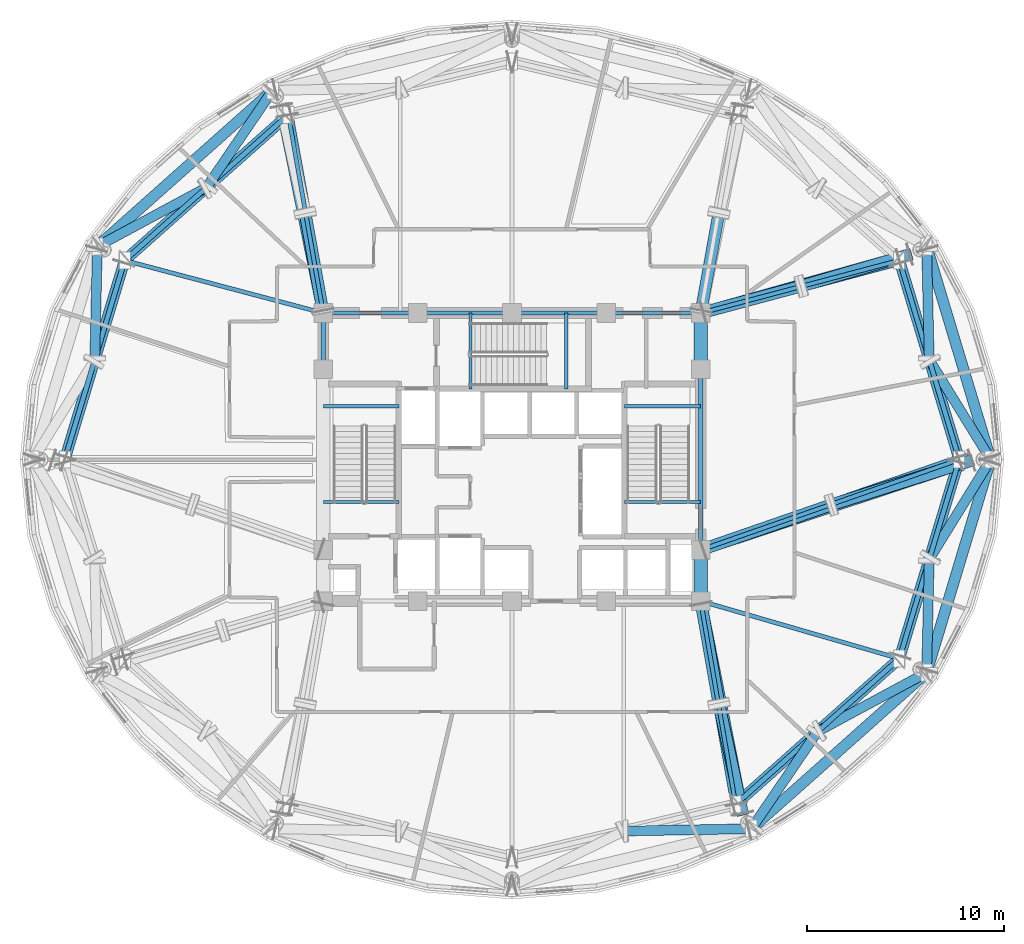
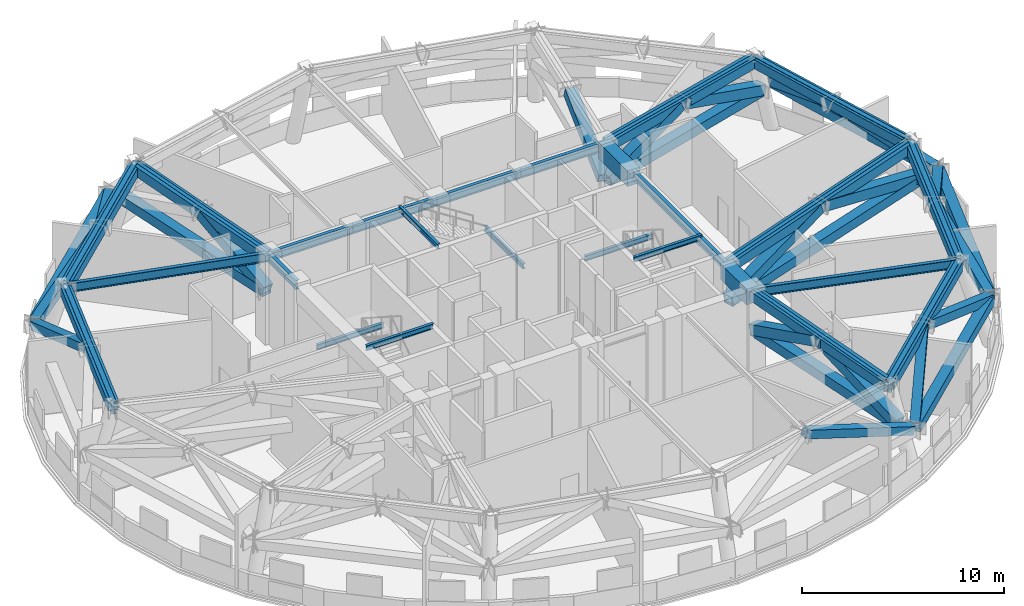
# One storey, part 2 of 13: 35 members, 25 beams.
"""IFC4 building model written with IfcOpenShell, lengths in metres."""

from ifc_helpers import new_model, si_unit, direction, frame, origin, origin_2d, place, context, subcontext, project, spatial, rectangle, hollow_rectangle, i_section, extrude, material, material_profile, profile_set, type_object, element, save


model = new_model("IFC4")

# Units and contexts
model_context = context("Model", 3, precision=1e-05, world=origin(), true_north=direction((0.0, 1.0)))
body_context = subcontext(model_context, "Body", "Model", "MODEL_VIEW")
ifc_project = project(units=[si_unit("LENGTHUNIT", "METRE"), si_unit("AREAUNIT", "SQUARE_METRE"), si_unit("VOLUMEUNIT", "CUBIC_METRE"), si_unit("PLANEANGLEUNIT", "RADIAN"), si_unit("MASSUNIT", "GRAM", prefix="KILO")], contexts=[model_context])

# Site, building, storey
site_placement = place(None, origin())
site = spatial("IfcSite", under=ifc_project, at=site_placement, CompositionType="ELEMENT")
building_placement = place(site_placement, origin())
building = spatial("IfcBuilding", under=site, at=building_placement, Name="Vantalir Tower", CompositionType="ELEMENT")
storey_placement = place(building_placement, frame((0.0, 0.0, 175.949951171875)))
storey = spatial("IfcBuildingStorey", under=building, at=storey_placement, Name="L44", CompositionType="ELEMENT", Elevation=175.949951171875)

# Beams
ifc_material_1 = material(Name="Concrete C60/75", Category="concrete")
ifc_material_profile_1 = material_profile(ifc_material_1, rectangle(XDim=0.699951171875, YDim=0.949951171875, at=origin_2d()), Name="Concrete C60/75")
ifc_profile_set_1 = profile_set([ifc_material_profile_1], Name="Concrete C60/75")
beam_type_1 = type_object("IfcBeamType", Name="BM-CB-700x950", PredefinedType="USERDEFINED", material=ifc_profile_set_1)
beam_1_placement = place(storey_placement, frame((41.10009765625, 17.800048828125, 4.7451171875), z_axis=(0.0, 1.0, 0.0), x_axis=(-1.0, 0.0, 0.0)))
element("IfcBeam", 1, at=beam_1_placement, inside=storey, type_object=beam_type_1, Name="L44 Core Coupling Girder 05", ObjectType="GIRDER", PredefinedType="USERDEFINED", context=body_context, shape_type="SweptSolid", body=[
    extrude(rectangle(XDim=0.699951171875, YDim=0.949951171875, at=origin_2d()), origin(), (0.0, 0.0, 1.0), 2.599853515625),
])
beam_2_placement = place(storey_placement, frame((41.10009765625, 29.60009765625, 4.7451171875), z_axis=(0.0, 1.0, 0.0), x_axis=(-1.0, 0.0, 0.0)))
element("IfcBeam", 2, at=beam_2_placement, inside=storey, type_object=beam_type_1, Name="L44 Core Coupling Girder 07", ObjectType="GIRDER", PredefinedType="USERDEFINED", context=body_context, shape_type="SweptSolid", body=[
    extrude(rectangle(XDim=0.699951171875, YDim=0.949951171875, at=origin_2d()), origin(), (0.0, 0.0, 1.0), 2.849853515625),
])
ifc_material_2 = material(Name="Steel S355", Category="steel")
ifc_material_profile_2 = material_profile(ifc_material_2, i_section(OverallWidth=0.166015625, OverallDepth=0.306884765625, WebThickness=0.006591796875, FlangeThickness=0.01171875, at=origin_2d()), Name="Steel S355")
ifc_profile_set_2 = profile_set([ifc_material_profile_2], Name="Steel S355")
beam_type_2 = type_object("IfcBeamType", Name="BM-JS-305x165", PredefinedType="JOIST", material=ifc_profile_set_2)
for number, where, z_axis, x_axis, name in (
    (3, (21.89990234375, 22.8349609375, 5.24609375), (1.0, 0.0, 0.0), (0.0, 1.0, 0.0), "L45 Stair ST1 Well Nosing Trimmer Beam"),
    (4, (21.89990234375, 27.705078125, 2.345947265625), (1.0, 0.0, 0.0), (0.0, 1.0, 0.0), "L44 Stair ST1 Half-Landing Support Beam"),
):
    element("IfcBeam", number, at=place(storey_placement, frame(where, z_axis=z_axis, x_axis=x_axis)), inside=storey, type_object=beam_type_2, Name=name, PredefinedType="JOIST", context=body_context, shape_type="SweptSolid", body=[
        extrude(i_section(OverallWidth=0.166015625, OverallDepth=0.306884765625, WebThickness=0.006591796875, FlangeThickness=0.01171875, at=origin_2d()), origin(), (0.0, 0.0, 1.0), 3.840087890625),
    ])
for number, where, z_axis, x_axis, name in (
    (5, (37.2099609375, 22.8349609375, 5.24609375), (1.0, 0.0, 0.0), (0.0, 1.0, 0.0), "L45 Stair ST2 Well Nosing Trimmer Beam"),
    (6, (37.2099609375, 27.705078125, 2.345947265625), (1.0, 0.0, 0.0), (0.0, 1.0, 0.0), "L44 Stair ST2 Half-Landing Support Beam"),
):
    element("IfcBeam", number, at=place(storey_placement, frame(where, z_axis=z_axis, x_axis=x_axis)), inside=storey, type_object=beam_type_2, Name=name, PredefinedType="JOIST", context=body_context, shape_type="SweptSolid", body=[
        extrude(i_section(OverallWidth=0.166015625, OverallDepth=0.306884765625, WebThickness=0.006591796875, FlangeThickness=0.01171875, at=origin_2d()), origin(), (0.0, 0.0, 1.0), 3.89013671875),
    ])
for number, where, z_axis, x_axis, name in (
    (7, (29.385009765625, 28.60009765625, 5.24609375), (0.0, 1.0, 0.0), (-1.0, 0.0, 0.0), "L45 Stair ST3 Well Nosing Trimmer Beam"),
    (8, (34.2548828125, 28.60009765625, 2.345947265625), (0.0, 1.0, 0.0), (-1.0, 0.0, 0.0), "L44 Stair ST3 Half-Landing Support Beam"),
):
    element("IfcBeam", number, at=place(storey_placement, frame(where, z_axis=z_axis, x_axis=x_axis)), inside=storey, type_object=beam_type_2, Name=name, PredefinedType="JOIST", context=body_context, shape_type="SweptSolid", body=[
        extrude(i_section(OverallWidth=0.166015625, OverallDepth=0.306884765625, WebThickness=0.006591796875, FlangeThickness=0.01171875, at=origin_2d()), origin(), (0.0, 0.0, 1.0), 3.849853515625),
    ])
ifc_material_profile_3 = material_profile(ifc_material_2, i_section(OverallWidth=0.2109375, OverallDepth=0.5390625, WebThickness=0.01171875, FlangeThickness=0.018798828125, at=origin_2d()), Name="Steel S355")
ifc_profile_set_3 = profile_set([ifc_material_profile_3], Name="Steel S355")
beam_type_3 = type_object("IfcBeamType", Name="BM-RB-533x210", PredefinedType="BEAM", material=ifc_profile_set_3)
beam_3_placement = place(storey_placement, frame((41.10009765625, 20.39990234375, 4.949951171875), z_axis=(0.0, 1.0, 0.0), x_axis=(-1.0, 0.0, 0.0)))
element("IfcBeam", 9, at=beam_3_placement, inside=storey, type_object=beam_type_3, Name="L44 Core Coupling Girder 06", PredefinedType="BEAM", context=body_context, shape_type="SweptSolid", body=[
    extrude(i_section(OverallWidth=0.2109375, OverallDepth=0.5390625, WebThickness=0.01171875, FlangeThickness=0.018798828125, at=origin_2d()), origin(), (0.0, 0.0, 1.0), 9.2001953125),
])
for number, where, z_axis, x_axis, name in (
    (10, (41.10009765625, 32.449951171875, 4.949951171875), (-1.0, 0.0, 0.0), (0.0, -1.0, 0.0), "L44 Core Coupling Girder 08"),
    (11, (36.300048828125, 32.449951171875, 4.949951171875), (-1.0, 0.0, 0.0), (0.0, -1.0, 0.0), "L44 Core Coupling Girder 09"),
    (12, (31.5, 32.449951171875, 4.949951171875), (-1.0, 0.0, 0.0), (0.0, -1.0, 0.0), "L44 Core Coupling Girder 10"),
    (13, (26.699951171875, 32.449951171875, 4.949951171875), (-1.0, 0.0, 0.0), (0.0, -1.0, 0.0), "L44 Core Coupling Girder 11"),
):
    element("IfcBeam", number, at=place(storey_placement, frame(where, z_axis=z_axis, x_axis=x_axis)), inside=storey, type_object=beam_type_3, Name=name, PredefinedType="BEAM", context=body_context, shape_type="SweptSolid", body=[
        extrude(i_section(OverallWidth=0.2109375, OverallDepth=0.5390625, WebThickness=0.01171875, FlangeThickness=0.018798828125, at=origin_2d()), origin(), (0.0, 0.0, 1.0), 4.800048828125),
    ])
beam_4_placement = place(storey_placement, frame((21.89990234375, 32.449951171875, 4.949951171875), z_axis=(0.0, -1.0, 0.0), x_axis=(1.0, 0.0, 0.0)))
element("IfcBeam", 14, at=beam_4_placement, inside=storey, type_object=beam_type_3, Name="L44 Core Coupling Girder 12", PredefinedType="BEAM", context=body_context, shape_type="SweptSolid", body=[
    extrude(i_section(OverallWidth=0.2109375, OverallDepth=0.5390625, WebThickness=0.01171875, FlangeThickness=0.018798828125, at=origin_2d()), origin(), (0.0, 0.0, 1.0), 2.849853515625),
])
beam_5_placement = place(storey_placement, frame((54.25, 25.0, 4.949951171875), z_axis=(-0.943911347426, -0.330198982737, 0.0), x_axis=(0.330198982737, -0.943911347426, 0.0)))
element("IfcBeam", 15, at=beam_5_placement, inside=storey, type_object=beam_type_3, Name="L44 Radial Floor Beam 01", PredefinedType="BEAM", context=body_context, shape_type="SweptSolid", body=[
    extrude(i_section(OverallWidth=0.2109375, OverallDepth=0.5390625, WebThickness=0.01171875, FlangeThickness=0.018798828125, at=origin_2d()), origin(), (0.0, 0.0, 1.0), 13.931396484375),
])
beam_6_placement = place(storey_placement, frame((51.201904296875, 35.126953125, 4.949951171875), z_axis=(-0.966634312678, -0.256160312215, 0.0), x_axis=(0.256160312215, -0.966634312678, 0.0)))
element("IfcBeam", 16, at=beam_6_placement, inside=storey, type_object=beam_type_3, Name="L44 Radial Floor Beam 02", PredefinedType="BEAM", context=body_context, shape_type="SweptSolid", body=[
    extrude(i_section(OverallWidth=0.2109375, OverallDepth=0.5390625, WebThickness=0.01171875, FlangeThickness=0.018798828125, at=origin_2d()), origin(), (0.0, 0.0, 1.0), 10.450439453125),
])
beam_7_placement = place(storey_placement, frame((20.125, 42.5400390625, 4.949951171875), z_axis=(0.173245609585, -0.984878651794, 0.0), x_axis=(0.984878651794, 0.173245609585, 0.0)))
element("IfcBeam", 17, at=beam_7_placement, inside=storey, type_object=beam_type_3, Name="L44 Radial Floor Beam 05", PredefinedType="BEAM", context=body_context, shape_type="SweptSolid", body=[
    extrude(i_section(OverallWidth=0.2109375, OverallDepth=0.5390625, WebThickness=0.01171875, FlangeThickness=0.018798828125, at=origin_2d()), origin(), (0.0, 0.0, 1.0), 10.2451171875),
])
beam_8_placement = place(storey_placement, frame((11.798095703125, 35.126953125, 4.949951171875), z_axis=(0.966634312678, -0.256160312215, 0.0), x_axis=(0.256160312215, 0.966634312678, 0.0)))
element("IfcBeam", 18, at=beam_8_placement, inside=storey, type_object=beam_type_3, Name="L44 Radial Floor Beam 06", PredefinedType="BEAM", context=body_context, shape_type="SweptSolid", body=[
    extrude(i_section(OverallWidth=0.2109375, OverallDepth=0.5390625, WebThickness=0.01171875, FlangeThickness=0.018798828125, at=origin_2d()), origin(), (0.0, 0.0, 1.0), 10.450439453125),
])
beam_9_placement = place(storey_placement, frame((42.875, 7.4599609375, 4.949951171875), z_axis=(-0.16917824882, 0.985585470736, 0.0), x_axis=(-0.985585470736, -0.16917824882, 0.0)))
element("IfcBeam", 19, at=beam_9_placement, inside=storey, type_object=beam_type_3, Name="L44 Radial Floor Beam 11", PredefinedType="BEAM", context=body_context, shape_type="SweptSolid", body=[
    extrude(i_section(OverallWidth=0.2109375, OverallDepth=0.5390625, WebThickness=0.01171875, FlangeThickness=0.018798828125, at=origin_2d()), origin(), (0.0, 0.0, 1.0), 10.4912109375),
])
beam_10_placement = place(storey_placement, frame((51.201904296875, 14.873046875, 4.949951171875), z_axis=(-0.960493258528, 0.278303252447, 0.0), x_axis=(-0.278303252447, -0.960493258528, 0.0)))
element("IfcBeam", 20, at=beam_10_placement, inside=storey, type_object=beam_type_3, Name="L44 Radial Floor Beam 12", PredefinedType="BEAM", context=body_context, shape_type="SweptSolid", body=[
    extrude(i_section(OverallWidth=0.2109375, OverallDepth=0.5390625, WebThickness=0.01171875, FlangeThickness=0.018798828125, at=origin_2d()), origin(), (0.0, 0.0, 1.0), 10.517333984375),
])
ifc_material_3 = material(Name="Steel S460", Category="steel")
ifc_material_profile_4 = material_profile(ifc_material_3, i_section(OverallWidth=0.256103515625, OverallDepth=0.693115234375, WebThickness=0.014404296875, FlangeThickness=0.023681640625, at=origin_2d()), Name="Steel S460")
ifc_profile_set_4 = profile_set([ifc_material_profile_4], Name="Steel S460")
beam_type_4 = type_object("IfcBeamType", Name="BM-RG-686x254", PredefinedType="USERDEFINED", material=ifc_profile_set_4)
beam_11_placement = place(storey_placement, frame((54.25, 25.0, 4.8740234375), z_axis=(-0.288216101977, 0.957565391271, 0.0), x_axis=(-0.957565391271, -0.288216101977, 0.0)))
element("IfcBeam", 21, at=beam_11_placement, inside=storey, type_object=beam_type_4, Name="L44 Circumferential Ring Girder 01", ObjectType="GIRDER", PredefinedType="USERDEFINED", context=body_context, shape_type="SweptSolid", body=[
    extrude(i_section(OverallWidth=0.256103515625, OverallDepth=0.693115234375, WebThickness=0.014404296875, FlangeThickness=0.023681640625, at=origin_2d()), origin(), (0.0, 0.0, 1.0), 10.57568359375),
])
beam_12_placement = place(storey_placement, frame((20.125, 42.5400390625, 4.8740234375), z_axis=(-0.746901653095, -0.664934523546, 0.0), x_axis=(0.664934523546, -0.746901653095, 0.0)))
element("IfcBeam", 22, at=beam_12_placement, inside=storey, type_object=beam_type_4, Name="L44 Circumferential Ring Girder 05", ObjectType="GIRDER", PredefinedType="USERDEFINED", context=body_context, shape_type="SweptSolid", body=[
    extrude(i_section(OverallWidth=0.256103515625, OverallDepth=0.693115234375, WebThickness=0.014404296875, FlangeThickness=0.023681640625, at=origin_2d()), origin(), (0.0, 0.0, 1.0), 11.148681640625),
])
beam_13_placement = place(storey_placement, frame((11.798095703125, 35.126953125, 4.8740234375), z_axis=(-0.288216101977, -0.957565391271, 0.0), x_axis=(0.957565391271, -0.288216101977, 0.0)))
element("IfcBeam", 23, at=beam_13_placement, inside=storey, type_object=beam_type_4, Name="L44 Circumferential Ring Girder 06", ObjectType="GIRDER", PredefinedType="USERDEFINED", context=body_context, shape_type="SweptSolid", body=[
    extrude(i_section(OverallWidth=0.256103515625, OverallDepth=0.693115234375, WebThickness=0.014404296875, FlangeThickness=0.023681640625, at=origin_2d()), origin(), (0.0, 0.0, 1.0), 10.57568359375),
])
beam_14_placement = place(storey_placement, frame((42.875, 7.4599609375, 4.8740234375), z_axis=(0.746901653095, 0.664934523546, 0.0), x_axis=(-0.664934523546, 0.746901653095, 0.0)))
element("IfcBeam", 24, at=beam_14_placement, inside=storey, type_object=beam_type_4, Name="L44 Circumferential Ring Girder 11", ObjectType="GIRDER", PredefinedType="USERDEFINED", context=body_context, shape_type="SweptSolid", body=[
    extrude(i_section(OverallWidth=0.256103515625, OverallDepth=0.693115234375, WebThickness=0.014404296875, FlangeThickness=0.023681640625, at=origin_2d()), origin(), (0.0, 0.0, 1.0), 11.148681640625),
])
beam_15_placement = place(storey_placement, frame((51.201904296875, 14.873046875, 4.8740234375), z_axis=(0.288216101977, 0.957565391271, 0.0), x_axis=(-0.957565391271, 0.288216101977, 0.0)))
element("IfcBeam", 25, at=beam_15_placement, inside=storey, type_object=beam_type_4, Name="L44 Circumferential Ring Girder 12", ObjectType="GIRDER", PredefinedType="USERDEFINED", context=body_context, shape_type="SweptSolid", body=[
    extrude(i_section(OverallWidth=0.256103515625, OverallDepth=0.693115234375, WebThickness=0.014404296875, FlangeThickness=0.023681640625, at=origin_2d()), origin(), (0.0, 0.0, 1.0), 10.57568359375),
])

# Members
ifc_material_profile_5 = material_profile(ifc_material_3, hollow_rectangle(XDim=0.5, YDim=0.5, WallThickness=0.035888671875, at=origin_2d()), Name="Steel S460")
ifc_profile_set_5 = profile_set([ifc_material_profile_5], Name="Steel S460")
member_type_1 = type_object("IfcMemberType", Name="MEM-BT-500x36", PredefinedType="BRACE", material=ifc_profile_set_5)
member_1_placement = place(storey_placement, frame((55.77587890625, 25.1201171875, 2.8701171875), z_axis=(-0.49521291416, 0.802502814857, 0.332796336812), x_axis=(-0.85101155738, -0.525146959627, 0.0)))
element("IfcMember", 26, at=member_1_placement, inside=storey, type_object=member_type_1, Name="L44 Belt Truss Web Diagonal 01A", PredefinedType="BRACE", context=body_context, shape_type="SweptSolid", body=[
    extrude(hollow_rectangle(XDim=0.5, YDim=0.5, WallThickness=0.035888671875, at=origin_2d()), origin(), (0.0, 0.0, 1.0), 6.039794921875),
])
member_2_placement = place(storey_placement, frame((52.591064453125, 35.699951171875, 2.87109375), z_axis=(0.022424636185, -0.93959225615, 0.34156043078), x_axis=(0.999715320316, 0.023859554184, 0.0)))
element("IfcMember", 27, at=member_2_placement, inside=storey, type_object=member_type_1, Name="L44 Belt Truss Web Diagonal 01B", PredefinedType="BRACE", context=body_context, shape_type="SweptSolid", body=[
    extrude(hollow_rectangle(XDim=0.5, YDim=0.5, WallThickness=0.035888671875, at=origin_2d()), origin(), (0.0, 0.0, 1.0), 5.879150390625),
])
member_3_placement = place(storey_placement, frame((19.2451171875, 43.659912109375, 2.8701171875), z_axis=(-0.530761981348, -0.780087321486, 0.331293661292), x_axis=(0.826777344391, -0.562529308394, 0.0)))
element("IfcMember", 28, at=member_3_placement, inside=storey, type_object=member_type_1, Name="L44 Belt Truss Web Diagonal 05A", PredefinedType="BRACE", context=body_context, shape_type="SweptSolid", body=[
    extrude(hollow_rectangle(XDim=0.5, YDim=0.5, WallThickness=0.035888671875, at=origin_2d()), origin(), (0.0, 0.0, 1.0), 6.067138671875),
])
member_4_placement = place(storey_placement, frame((10.537109375, 35.908935546875, 2.866943359375), z_axis=(0.835108312997, 0.45020100553, 0.316090430388), x_axis=(-0.474530634591, 0.880238988477, 0.0)))
element("IfcMember", 29, at=member_4_placement, inside=storey, type_object=member_type_1, Name="L44 Belt Truss Web Diagonal 05B", PredefinedType="BRACE", context=body_context, shape_type="SweptSolid", body=[
    extrude(hollow_rectangle(XDim=0.5, YDim=0.5, WallThickness=0.035888671875, at=origin_2d()), origin(), (0.0, 0.0, 1.0), 6.375244140625),
])
member_5_placement = place(storey_placement, frame((10.408935546875, 35.699951171875, 2.87109375), z_axis=(-0.022424636185, -0.93959225615, 0.34156043078), x_axis=(0.999715320316, -0.023859554184, 0.0)))
element("IfcMember", 30, at=member_5_placement, inside=storey, type_object=member_type_1, Name="L44 Belt Truss Web Diagonal 06A", PredefinedType="BRACE", context=body_context, shape_type="SweptSolid", body=[
    extrude(hollow_rectangle(XDim=0.5, YDim=0.5, WallThickness=0.035888671875, at=origin_2d()), origin(), (0.0, 0.0, 1.0), 5.879150390625),
])
member_6_placement = place(storey_placement, frame((43.531982421875, 6.219970703125, 2.865966796875), z_axis=(-0.951230406233, -0.017557391697, 0.307981253088), x_axis=(0.018454416098, -0.999829702763, 0.0)))
element("IfcMember", 31, at=member_6_placement, inside=storey, type_object=member_type_1, Name="L44 Belt Truss Web Diagonal 10B", PredefinedType="BRACE", context=body_context, shape_type="SweptSolid", body=[
    extrude(hollow_rectangle(XDim=0.5, YDim=0.5, WallThickness=0.035888671875, at=origin_2d()), origin(), (0.0, 0.0, 1.0), 6.54931640625),
])
member_7_placement = place(storey_placement, frame((43.7548828125, 6.340087890625, 2.8701171875), z_axis=(0.530761981348, 0.780087321486, 0.331293661292), x_axis=(-0.826777344391, 0.562529308394, 0.0)))
element("IfcMember", 32, at=member_7_placement, inside=storey, type_object=member_type_1, Name="L44 Belt Truss Web Diagonal 11A", PredefinedType="BRACE", context=body_context, shape_type="SweptSolid", body=[
    extrude(hollow_rectangle(XDim=0.5, YDim=0.5, WallThickness=0.035888671875, at=origin_2d()), origin(), (0.0, 0.0, 1.0), 6.067138671875),
])
member_8_placement = place(storey_placement, frame((52.462890625, 14.091064453125, 2.866943359375), z_axis=(-0.835108312997, -0.45020100553, 0.316090430388), x_axis=(0.474530634591, -0.880238988477, 0.0)))
element("IfcMember", 33, at=member_8_placement, inside=storey, type_object=member_type_1, Name="L44 Belt Truss Web Diagonal 11B", PredefinedType="BRACE", context=body_context, shape_type="SweptSolid", body=[
    extrude(hollow_rectangle(XDim=0.5, YDim=0.5, WallThickness=0.035888671875, at=origin_2d()), origin(), (0.0, 0.0, 1.0), 6.375244140625),
])
member_9_placement = place(storey_placement, frame((52.591064453125, 14.300048828125, 2.87109375), z_axis=(0.022424636185, 0.93959225615, 0.34156043078), x_axis=(-0.999715320316, 0.023859554184, 0.0)))
element("IfcMember", 34, at=member_9_placement, inside=storey, type_object=member_type_1, Name="L44 Belt Truss Web Diagonal 12A", PredefinedType="BRACE", context=body_context, shape_type="SweptSolid", body=[
    extrude(hollow_rectangle(XDim=0.5, YDim=0.5, WallThickness=0.035888671875, at=origin_2d()), origin(), (0.0, 0.0, 1.0), 5.879150390625),
])
member_10_placement = place(storey_placement, frame((55.77587890625, 24.8798828125, 2.8701171875), z_axis=(-0.49521291416, -0.802502814857, 0.332796336812), x_axis=(0.85101155738, -0.525146959627, 0.0)))
element("IfcMember", 35, at=member_10_placement, inside=storey, type_object=member_type_1, Name="L44 Belt Truss Web Diagonal 12B", PredefinedType="BRACE", context=body_context, shape_type="SweptSolid", body=[
    extrude(hollow_rectangle(XDim=0.5, YDim=0.5, WallThickness=0.035888671875, at=origin_2d()), origin(), (0.0, 0.0, 1.0), 6.039794921875),
])
ifc_material_profile_6 = material_profile(ifc_material_3, hollow_rectangle(XDim=0.550048828125, YDim=0.550048828125, WallThickness=0.035888671875, at=origin_2d()), Name="Steel S460")
ifc_profile_set_6 = profile_set([ifc_material_profile_6], Name="Steel S460")
member_type_2 = type_object("IfcMemberType", Name="MEM-CH-550x36", PredefinedType="CHORD", material=ifc_profile_set_6)
member_11_placement = place(storey_placement, frame((55.806884765625, 25.14404296875, 2.820068359375), z_axis=(-0.288170908897, 0.957578992703, 0.0), x_axis=(-0.957578992703, -0.288170908897, 0.0)))
element("IfcMember", 36, at=member_11_placement, inside=storey, type_object=member_type_2, Name="L44 Belt Truss Bottom Chord 01", PredefinedType="CHORD", context=body_context, shape_type="SweptSolid", body=[
    extrude(hollow_rectangle(XDim=0.550048828125, YDim=0.550048828125, WallThickness=0.035888671875, at=origin_2d()), origin(), (0.0, 0.0, 1.0), 11.0205078125),
])
member_12_placement = place(storey_placement, frame((54.20703125, 25.14404296875, 4.920166015625), z_axis=(-0.2882632994, 0.957551184125, 0.0), x_axis=(-0.957551184125, -0.2882632994, 0.0)))
element("IfcMember", 37, at=member_12_placement, inside=storey, type_object=member_type_2, Name="L44 Belt Truss Top Chord 01", PredefinedType="CHORD", context=body_context, shape_type="SweptSolid", body=[
    extrude(hollow_rectangle(XDim=0.550048828125, YDim=0.550048828125, WallThickness=0.035888671875, at=origin_2d()), origin(), (0.0, 0.0, 1.0), 10.275146484375),
])
member_13_placement = place(storey_placement, frame((19.212890625, 43.677001953125, 2.820068359375), z_axis=(-0.746873005069, -0.664966701647, 0.0), x_axis=(0.664966701647, -0.746873005069, 0.0)))
element("IfcMember", 38, at=member_13_placement, inside=storey, type_object=member_type_2, Name="L44 Belt Truss Bottom Chord 05", PredefinedType="CHORD", context=body_context, shape_type="SweptSolid", body=[
    extrude(hollow_rectangle(XDim=0.550048828125, YDim=0.550048828125, WallThickness=0.035888671875, at=origin_2d()), origin(), (0.0, 0.0, 1.0), 11.6337890625),
])
member_14_placement = place(storey_placement, frame((20.012939453125, 42.43994140625, 4.920166015625), z_axis=(-0.746942270971, -0.664888895859, 0.0), x_axis=(0.664888895859, -0.746942270971, 0.0)))
element("IfcMember", 39, at=member_14_placement, inside=storey, type_object=member_type_2, Name="L44 Belt Truss Top Chord 05", PredefinedType="CHORD", context=body_context, shape_type="SweptSolid", body=[
    extrude(hollow_rectangle(XDim=0.550048828125, YDim=0.550048828125, WallThickness=0.035888671875, at=origin_2d()), origin(), (0.0, 0.0, 1.0), 10.84814453125),
])
member_15_placement = place(storey_placement, frame((11.7548828125, 34.98291015625, 4.920166015625), z_axis=(-0.2882632994, -0.957551184125, 0.0), x_axis=(0.957551184125, -0.2882632994, 0.0)))
element("IfcMember", 40, at=member_15_placement, inside=storey, type_object=member_type_2, Name="L44 Belt Truss Top Chord 06", PredefinedType="CHORD", context=body_context, shape_type="SweptSolid", body=[
    extrude(hollow_rectangle(XDim=0.550048828125, YDim=0.550048828125, WallThickness=0.035888671875, at=origin_2d()), origin(), (0.0, 0.0, 1.0), 10.275146484375),
])
member_16_placement = place(storey_placement, frame((43.787109375, 6.322998046875, 2.820068359375), z_axis=(0.746873005069, 0.664966701647, 0.0), x_axis=(-0.664966701647, 0.746873005069, 0.0)))
element("IfcMember", 41, at=member_16_placement, inside=storey, type_object=member_type_2, Name="L44 Belt Truss Bottom Chord 11", PredefinedType="CHORD", context=body_context, shape_type="SweptSolid", body=[
    extrude(hollow_rectangle(XDim=0.550048828125, YDim=0.550048828125, WallThickness=0.035888671875, at=origin_2d()), origin(), (0.0, 0.0, 1.0), 11.6337890625),
])
member_17_placement = place(storey_placement, frame((42.987060546875, 7.56005859375, 4.920166015625), z_axis=(0.746942270971, 0.664888895859, 0.0), x_axis=(-0.664888895859, 0.746942270971, 0.0)))
element("IfcMember", 42, at=member_17_placement, inside=storey, type_object=member_type_2, Name="L44 Belt Truss Top Chord 11", PredefinedType="CHORD", context=body_context, shape_type="SweptSolid", body=[
    extrude(hollow_rectangle(XDim=0.550048828125, YDim=0.550048828125, WallThickness=0.035888671875, at=origin_2d()), origin(), (0.0, 0.0, 1.0), 10.84814453125),
])
member_18_placement = place(storey_placement, frame((52.631103515625, 14.302978515625, 2.820068359375), z_axis=(0.288170908897, 0.957578992703, 0.0), x_axis=(-0.957578992703, 0.288170908897, 0.0)))
element("IfcMember", 43, at=member_18_placement, inside=storey, type_object=member_type_2, Name="L44 Belt Truss Bottom Chord 12", PredefinedType="CHORD", context=body_context, shape_type="SweptSolid", body=[
    extrude(hollow_rectangle(XDim=0.550048828125, YDim=0.550048828125, WallThickness=0.035888671875, at=origin_2d()), origin(), (0.0, 0.0, 1.0), 11.0205078125),
])
member_19_placement = place(storey_placement, frame((51.2451171875, 15.01708984375, 4.920166015625), z_axis=(0.2882632994, 0.957551184125, 0.0), x_axis=(-0.957551184125, 0.2882632994, 0.0)))
element("IfcMember", 44, at=member_19_placement, inside=storey, type_object=member_type_2, Name="L44 Belt Truss Top Chord 12", PredefinedType="CHORD", context=body_context, shape_type="SweptSolid", body=[
    extrude(hollow_rectangle(XDim=0.550048828125, YDim=0.550048828125, WallThickness=0.035888671875, at=origin_2d()), origin(), (0.0, 0.0, 1.0), 10.275146484375),
])
ifc_material_profile_7 = material_profile(ifc_material_3, hollow_rectangle(XDim=0.580078125, YDim=0.580078125, WallThickness=0.0380859375, at=origin_2d()), Name="Steel S460")
ifc_profile_set_7 = profile_set([ifc_material_profile_7], Name="Steel S460")
member_type_3 = type_object("IfcMemberType", Name="MEM-CH-580x38", PredefinedType="CHORD", material=ifc_profile_set_7)
member_20_placement = place(storey_placement, frame((41.241943359375, 20.447021484375, 2.820068359375), z_axis=(0.949464389096, 0.313874774135, 0.0), x_axis=(-0.313874774135, 0.949464389096, 0.0)))
element("IfcMember", 45, at=member_20_placement, inside=storey, type_object=member_type_3, Name="L44 Outrigger Truss Bottom Chord 01", PredefinedType="CHORD", context=body_context, shape_type="SweptSolid", body=[
    extrude(hollow_rectangle(XDim=0.580078125, YDim=0.580078125, WallThickness=0.0380859375, at=origin_2d()), origin(), (0.0, 0.0, 1.0), 14.355712890625),
])
member_21_placement = place(storey_placement, frame((41.241943359375, 20.448974609375, 4.920166015625), z_axis=(0.945004839034, 0.327056347137, 0.0), x_axis=(-0.327056347137, 0.945004839034, 0.0)))
element("IfcMember", 46, at=member_21_placement, inside=storey, type_object=member_type_3, Name="L44 Outrigger Truss Top Chord 01", PredefinedType="CHORD", context=body_context, shape_type="SweptSolid", body=[
    extrude(hollow_rectangle(XDim=0.580078125, YDim=0.580078125, WallThickness=0.0380859375, at=origin_2d()), origin(), (0.0, 0.0, 1.0), 13.76513671875),
])
member_22_placement = place(storey_placement, frame((41.243896484375, 32.489990234375, 2.820068359375), z_axis=(0.962852075395, 0.270029407488, 0.0), x_axis=(-0.270029407488, 0.962852075395, 0.0)))
element("IfcMember", 47, at=member_22_placement, inside=storey, type_object=member_type_3, Name="L44 Outrigger Truss Bottom Chord 02", PredefinedType="CHORD", context=body_context, shape_type="SweptSolid", body=[
    extrude(hollow_rectangle(XDim=0.580078125, YDim=0.580078125, WallThickness=0.0380859375, at=origin_2d()), origin(), (0.0, 0.0, 1.0), 10.88037109375),
])
member_23_placement = place(storey_placement, frame((41.2451171875, 32.489013671875, 4.920166015625), z_axis=(0.965900046803, 0.258915236294, 0.0), x_axis=(-0.258915236294, 0.965900046803, 0.0)))
element("IfcMember", 48, at=member_23_placement, inside=storey, type_object=member_type_3, Name="L44 Outrigger Truss Top Chord 02", PredefinedType="CHORD", context=body_context, shape_type="SweptSolid", body=[
    extrude(hollow_rectangle(XDim=0.580078125, YDim=0.580078125, WallThickness=0.0380859375, at=origin_2d()), origin(), (0.0, 0.0, 1.0), 10.28564453125),
])
member_24_placement = place(storey_placement, frame((21.8701171875, 32.596923828125, 2.820068359375), z_axis=(-0.197998784124, 0.980202265599, 0.0), x_axis=(-0.980202265599, -0.197998784124, 0.0)))
element("IfcMember", 49, at=member_24_placement, inside=storey, type_object=member_type_3, Name="L44 Outrigger Truss Bottom Chord 04", PredefinedType="CHORD", context=body_context, shape_type="SweptSolid", body=[
    extrude(hollow_rectangle(XDim=0.580078125, YDim=0.580078125, WallThickness=0.0380859375, at=origin_2d()), origin(), (0.0, 0.0, 1.0), 10.5966796875),
])
member_25_placement = place(storey_placement, frame((21.873046875, 32.597900390625, 4.920166015625), z_axis=(-0.178044343758, 0.984022465016, 0.0), x_axis=(-0.984022465016, -0.178044343758, 0.0)))
element("IfcMember", 50, at=member_25_placement, inside=storey, type_object=member_type_3, Name="L44 Outrigger Truss Top Chord 04", PredefinedType="CHORD", context=body_context, shape_type="SweptSolid", body=[
    extrude(hollow_rectangle(XDim=0.580078125, YDim=0.580078125, WallThickness=0.0380859375, at=origin_2d()), origin(), (0.0, 0.0, 1.0), 10.06494140625),
])
member_26_placement = place(storey_placement, frame((41.12890625, 17.653076171875, 2.820068359375), z_axis=(0.193608221332, -0.981078924773, 0.0), x_axis=(0.981078924773, 0.193608221332, 0.0)))
element("IfcMember", 51, at=member_26_placement, inside=storey, type_object=member_type_3, Name="L44 Outrigger Truss Bottom Chord 08", PredefinedType="CHORD", context=body_context, shape_type="SweptSolid", body=[
    extrude(hollow_rectangle(XDim=0.580078125, YDim=0.580078125, WallThickness=0.0380859375, at=origin_2d()), origin(), (0.0, 0.0, 1.0), 10.842041015625),
])
member_27_placement = place(storey_placement, frame((41.1259765625, 17.652099609375, 4.920166015625), z_axis=(0.17397848073, -0.984749454553, 0.0), x_axis=(0.984749454553, 0.17397848073, 0.0)))
element("IfcMember", 52, at=member_27_placement, inside=storey, type_object=member_type_3, Name="L44 Outrigger Truss Top Chord 08", PredefinedType="CHORD", context=body_context, shape_type="SweptSolid", body=[
    extrude(hollow_rectangle(XDim=0.580078125, YDim=0.580078125, WallThickness=0.0380859375, at=origin_2d()), origin(), (0.0, 0.0, 1.0), 10.311279296875),
])
ifc_material_profile_8 = material_profile(ifc_material_3, hollow_rectangle(XDim=0.60009765625, YDim=0.60009765625, WallThickness=0.0400390625, at=origin_2d()), Name="Steel S460")
ifc_profile_set_8 = profile_set([ifc_material_profile_8], Name="Steel S460")
member_type_4 = type_object("IfcMemberType", Name="MEM-OR-600x40", PredefinedType="BRACE", material=ifc_profile_set_8)
member_28_placement = place(storey_placement, frame((41.236083984375, 20.447021484375, 2.863037109375), z_axis=(0.905490955111, 0.313354162626, 0.286173546954), x_axis=(-0.327031331595, 0.945013496282, 0.0)))
element("IfcMember", 53, at=member_28_placement, inside=storey, type_object=member_type_4, Name="L44 Outrigger Truss Diagonal 01A", PredefinedType="BRACE", context=body_context, shape_type="SweptSolid", body=[
    extrude(hollow_rectangle(XDim=0.60009765625, YDim=0.60009765625, WallThickness=0.0400390625, at=origin_2d()), origin(), (0.0, 0.0, 1.0), 7.06884765625),
])
member_29_placement = place(storey_placement, frame((47.85595703125, 22.735107421875, 4.887939453125), z_axis=(0.919218772668, 0.290775894532, -0.265492423874), x_axis=(-0.301599408766, 0.95343473643, 0.0)))
element("IfcMember", 54, at=member_29_placement, inside=storey, type_object=member_type_4, Name="L44 Outrigger Truss Diagonal 01B", PredefinedType="BRACE", context=body_context, shape_type="SweptSolid", body=[
    extrude(hollow_rectangle(XDim=0.60009765625, YDim=0.60009765625, WallThickness=0.0400390625, at=origin_2d()), origin(), (0.0, 0.0, 1.0), 7.637939453125),
])
member_30_placement = place(storey_placement, frame((41.235107421875, 32.486083984375, 2.875), z_axis=(0.897797650261, 0.240573942981, 0.368895048957), x_axis=(-0.258828870011, 0.965923193659, 0.0)))
element("IfcMember", 55, at=member_30_placement, inside=storey, type_object=member_type_4, Name="L44 Outrigger Truss Diagonal 02A", PredefinedType="BRACE", context=body_context, shape_type="SweptSolid", body=[
    extrude(hollow_rectangle(XDim=0.60009765625, YDim=0.60009765625, WallThickness=0.0400390625, at=origin_2d()), origin(), (0.0, 0.0, 1.0), 5.42431640625),
])
member_31_placement = place(storey_placement, frame((46.321044921875, 33.85205078125, 4.880126953125), z_axis=(0.904184383777, 0.263650712601, -0.336063836018), x_axis=(-0.279931765112, 0.960019899211, 0.0)))
element("IfcMember", 56, at=member_31_placement, inside=storey, type_object=member_type_4, Name="L44 Outrigger Truss Diagonal 02B", PredefinedType="BRACE", context=body_context, shape_type="SweptSolid", body=[
    extrude(hollow_rectangle(XDim=0.60009765625, YDim=0.60009765625, WallThickness=0.0400390625, at=origin_2d()), origin(), (0.0, 0.0, 1.0), 5.98095703125),
])
for number, where, z_axis, x_axis, name in (
    (57, (41.125, 32.5869140625, 2.8759765625), (0.164949185315, 0.911991018472, 0.375585074904), (-0.984034208126, 0.177979429254, 0.0), "L44 Outrigger Truss Diagonal 03A"),
    (58, (21.875, 32.5869140625, 2.8759765625), (-0.164949185315, 0.911991018472, 0.375585074904), (-0.984034208126, -0.177979429254, 0.0), "L44 Outrigger Truss Diagonal 04A"),
):
    element("IfcMember", number, at=place(storey_placement, frame(where, z_axis=z_axis, x_axis=x_axis)), inside=storey, type_object=member_type_4, Name=name, PredefinedType="BRACE", context=body_context, shape_type="SweptSolid", body=[
        extrude(hollow_rectangle(XDim=0.60009765625, YDim=0.60009765625, WallThickness=0.0400390625, at=origin_2d()), origin(), (0.0, 0.0, 1.0), 5.322509765625),
    ])
member_32_placement = place(storey_placement, frame((41.1240234375, 17.6630859375, 2.875), z_axis=(0.161838190736, -0.915616178996, 0.368042677933), x_axis=(0.98473587502, 0.174055325825, 0.0)))
element("IfcMember", 59, at=member_32_placement, inside=storey, type_object=member_type_4, Name="L44 Outrigger Truss Diagonal 08A", PredefinedType="BRACE", context=body_context, shape_type="SweptSolid", body=[
    extrude(hollow_rectangle(XDim=0.60009765625, YDim=0.60009765625, WallThickness=0.0400390625, at=origin_2d()), origin(), (0.0, 0.0, 1.0), 5.436767578125),
])
member_33_placement = place(storey_placement, frame((42.047119140625, 12.465087890625, 4.879150390625), z_axis=(0.198836828532, -0.919759184494, -0.338388767779), x_axis=(0.97742075511, 0.211302313001, 0.0)))
element("IfcMember", 60, at=member_33_placement, inside=storey, type_object=member_type_4, Name="L44 Outrigger Truss Diagonal 08B", PredefinedType="BRACE", context=body_context, shape_type="SweptSolid", body=[
    extrude(hollow_rectangle(XDim=0.60009765625, YDim=0.60009765625, WallThickness=0.0400390625, at=origin_2d()), origin(), (0.0, 0.0, 1.0), 5.93408203125),
])

save(model, "model.ifc")
